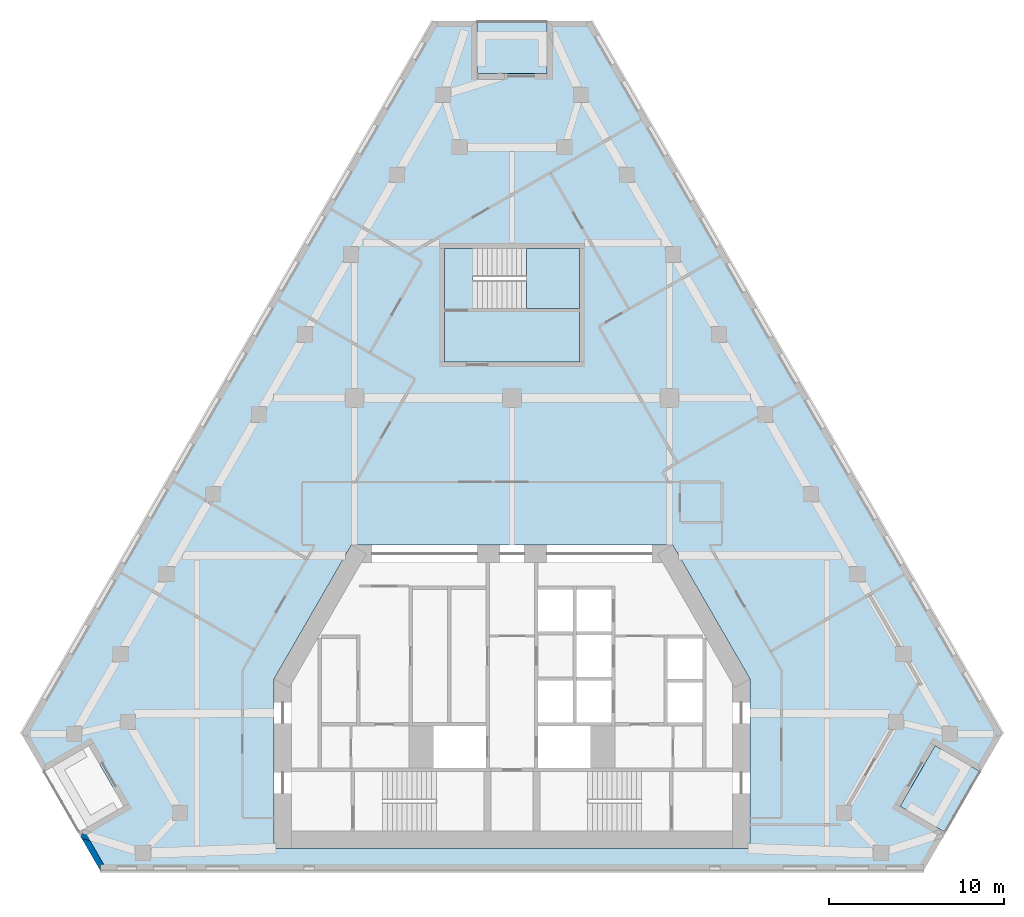
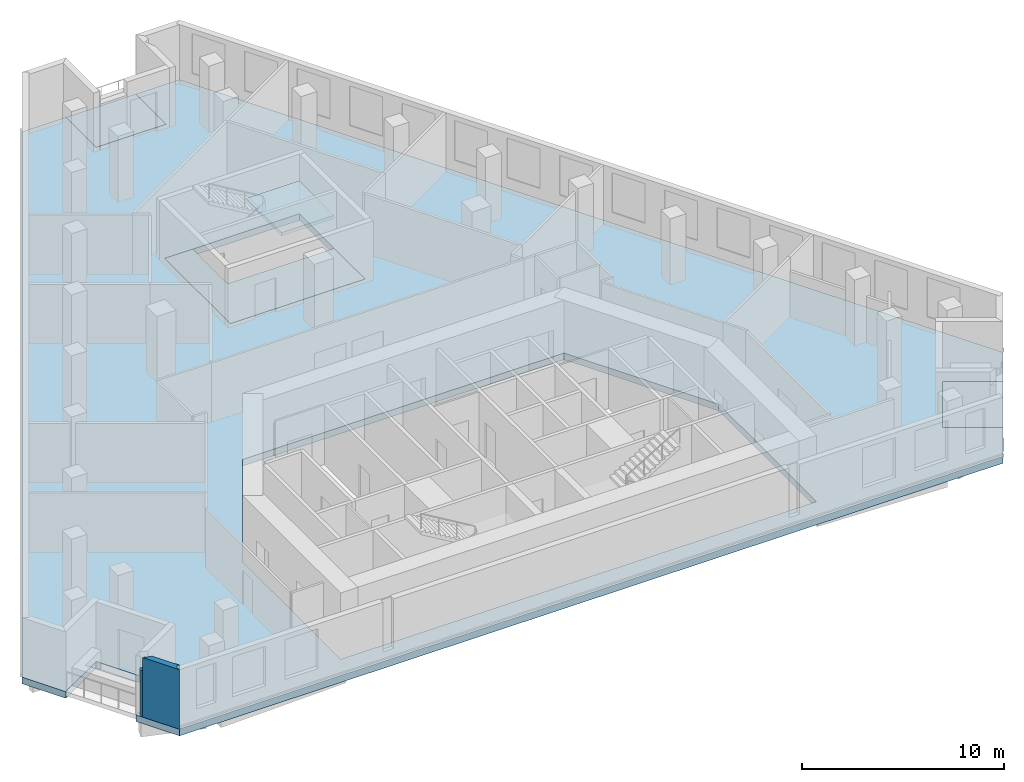
# One storey, part 2 of 9: 5 slabs, 2 walls, 1 element without a shape of its own.
"""IFC4 building model written with IfcOpenShell, lengths in metres."""

import ifcopenshell
import ifcopenshell.guid

model = None  # the IFC model being written
_history = None  # IfcOwnerHistory: only IFC2X3 demands one
_inside = {}  # id of a spatial element -> (the spatial element, [elements in it])
_under = {}  # id of a project, library or spatial element -> (it, [spatial elements below it])
_declared = {}  # id of a project -> (the project, [libraries it declares])
_typed = {}  # id of a type object -> (the type object, [elements of that type])
_made_of = {}  # id of a material, layer set ... -> (it, [elements and type objects made of it])


def new_model(schema):
    """Start an empty IFC model of exactly this schema.

    Asked for "IFC4X3", IfcOpenShell would pick the latest addendum, in which some entities
    have other attributes; the version numbers below select the first issue.
    IFC2X3 requires an IfcOwnerHistory on every rooted entity: one is made here for all.
    """
    global model, _history
    if schema == "IFC4X3":
        model = ifcopenshell.file(schema_version=(4, 3, 0, 0))
    else:
        model = ifcopenshell.file(schema=schema)
    _inside.clear()
    _under.clear()
    _declared.clear()
    _typed.clear()
    _made_of.clear()
    _history = None
    if model.schema == "IFC2X3":
        org = make("IfcOrganization", Name="unknown")
        user = make(
            "IfcPersonAndOrganization",
            ThePerson=make("IfcPerson", FamilyName="unknown"),
            TheOrganization=org,
        )
        app = make(
            "IfcApplication",
            ApplicationDeveloper=org,
            Version="unknown",
            ApplicationFullName="unknown",
            ApplicationIdentifier="unknown",
        )
        _history = make(
            "IfcOwnerHistory",
            OwningUser=user,
            OwningApplication=app,
            ChangeAction="ADDED",
            CreationDate=0,
        )
    return model


def make(cls, **values):
    """One entity of the class cls with the attributes given. An attribute that is None is left unset."""
    return model.create_entity(
        cls, **{name: value for name, value in values.items() if value is not None}
    )


def rooted(cls, **values):
    """An entity with a GlobalId (a new one), such as an element, a storey or a relation."""
    return make(cls, GlobalId=ifcopenshell.guid.new(), OwnerHistory=_history, **values)


def si_unit(unit_type, name, prefix=None):
    """IfcSIUnit, for example si_unit("LENGTHUNIT", "METRE", prefix="MILLI")."""
    return make("IfcSIUnit", UnitType=unit_type, Prefix=prefix, Name=name)


def assignment(units):
    """IfcUnitAssignment: the units of a project."""
    return None if units is None else make("IfcUnitAssignment", Units=units)


def point(xyz):
    """IfcCartesianPoint."""
    return None if xyz is None else make("IfcCartesianPoint", Coordinates=xyz)


def direction(xyz):
    """IfcDirection."""
    return None if xyz is None else make("IfcDirection", DirectionRatios=xyz)


def frame(location, z_axis=None, x_axis=None):
    """IfcAxis2Placement3D, a coordinate frame: its origin and axes. An axis left out is left unset."""
    return make(
        "IfcAxis2Placement3D",
        Location=point(location),
        Axis=direction(z_axis),
        RefDirection=direction(x_axis),
    )


def origin():
    """The frame at (0, 0, 0) with its axes left unset."""
    return frame((0.0, 0.0, 0.0))


def place(relative_to, where):
    """IfcLocalPlacement: puts the frame where relative to a parent placement (None: the world)."""
    return make(
        "IfcLocalPlacement", PlacementRelTo=relative_to, RelativePlacement=where
    )


def context(
    kind, dimensions, precision=None, world=None, true_north=None, identifier=None
):
    """IfcGeometricRepresentationContext, for example the 3D "Model" context."""
    return make(
        "IfcGeometricRepresentationContext",
        ContextIdentifier=identifier,
        ContextType=kind,
        CoordinateSpaceDimension=dimensions,
        Precision=precision,
        WorldCoordinateSystem=world,
        TrueNorth=true_north,
    )


def subcontext(parent, identifier, kind, view, scale=None):
    """IfcGeometricRepresentationSubContext, for example "Body" below "Model"."""
    return make(
        "IfcGeometricRepresentationSubContext",
        ContextIdentifier=identifier,
        ContextType=kind,
        ParentContext=parent,
        TargetScale=scale,
        TargetView=view,
    )


def project(units=None, contexts=None):
    """IfcProject with its units and contexts."""
    return rooted(
        "IfcProject",
        Name="project",
        RepresentationContexts=contexts,
        UnitsInContext=assignment(units),
    )


def spatial(cls, under=None, at=None, **own):
    """A site, building, storey or space (cls), placed at a placement, below another one or the project."""
    s = rooted(cls, ObjectPlacement=at, **own)
    if under is not None:
        _under.setdefault(under.id(), (under, []))[1].append(s)
    return s


def polyline(points):
    """IfcPolyline through the points."""
    return make("IfcPolyline", Points=[point(p) for p in points])


def outline(outer, holes=None, kind="AREA"):
    """IfcArbitraryClosedProfileDef: a profile drawn as a closed curve; with holes, ...WithVoids."""
    if holes is None:
        return make("IfcArbitraryClosedProfileDef", ProfileType=kind, OuterCurve=outer)
    return make(
        "IfcArbitraryProfileDefWithVoids",
        ProfileType=kind,
        OuterCurve=outer,
        InnerCurves=holes,
    )


def extrude(swept, where, along, depth):
    """IfcExtrudedAreaSolid: the profile swept, set in the frame where, extruded along a direction by depth."""
    return make(
        "IfcExtrudedAreaSolid",
        SweptArea=swept,
        Position=where,
        ExtrudedDirection=direction(along),
        Depth=depth,
    )


def shape(context_of_items, identifier, shape_type, items):
    """IfcShapeRepresentation: the items that make up one representation, for example the "Body"."""
    return make(
        "IfcShapeRepresentation",
        ContextOfItems=context_of_items,
        RepresentationIdentifier=identifier,
        RepresentationType=shape_type,
        Items=items,
    )


def material(Name=None, Category=None):
    """IfcMaterial."""
    return make("IfcMaterial", Name=Name, Category=Category)


def layer(
    of_material, thickness, ventilated=None, Name=None, Category=None, Priority=None
):
    """IfcMaterialLayer: one layer of a wall or slab, of a material (None: an air gap)."""
    return make(
        "IfcMaterialLayer",
        Material=of_material,
        LayerThickness=thickness,
        IsVentilated=ventilated,
        Name=Name,
        Category=Category,
        Priority=Priority,
    )


def layer_set(layers, Name=None):
    """IfcMaterialLayerSet."""
    return make("IfcMaterialLayerSet", MaterialLayers=layers, LayerSetName=Name)


def made_of(thing, what):
    """Note that an element or type object is made of a material, layer set ...; save() writes the relation."""
    if what is not None:
        _made_of.setdefault(what.id(), (what, []))[1].append(thing)
    return thing


def type_object(cls, material=None, **own):
    """A type object (cls), such as IfcWallType, which elements share."""
    return made_of(rooted(cls, **own), material)


def element(
    cls,
    number,
    at=None,
    inside=None,
    cuts=None,
    type_object=None,
    material=None,
    context=None,
    identifier="Body",
    shape_type=None,
    held_by="IfcProductDefinitionShape",
    body=None,
    shapes=None,
    **own,
):
    """One element of the class cls, such as IfcWall. Its Tag is "e" and its number.

    at: its placement. inside: the storey or other place that contains it. cuts: it is an
    opening in that element (IfcRelVoidsElement). A single representation is given by context,
    identifier, shape_type and body (its items); several are given by shapes. held_by: the class
    of the entity that holds the representations. save() writes the other relations.
    """
    e = rooted(cls, Tag="e%d" % number, ObjectPlacement=at, **own)
    if body is not None:
        shapes = [shape(context, identifier, shape_type, body)]
    if shapes is not None:
        e.Representation = make(held_by, Representations=shapes)
    if inside is not None:
        _inside.setdefault(inside.id(), (inside, []))[1].append(e)
    if cuts is not None:
        rooted(
            "IfcRelVoidsElement", RelatingBuildingElement=cuts, RelatedOpeningElement=e
        )
    if type_object is not None:
        _typed.setdefault(type_object.id(), (type_object, []))[1].append(e)
    return made_of(e, material)


def aggregate(whole, parts):
    """IfcRelAggregates: a whole, such as a stair, and the parts it consists of."""
    return rooted("IfcRelAggregates", RelatingObject=whole, RelatedObjects=parts)


def save(model, path):
    """Write the relations noted so far, then the file.

    IfcRelAggregates (storeys below a building ...), IfcRelContainedInSpatialStructure (elements
    in a storey), IfcRelDefinesByType, IfcRelAssociatesMaterial and IfcRelDeclares: one each for
    every whole, place, type object, material and project.
    """
    for whole, parts in _under.values():
        aggregate(whole, parts)
    for where, things in _inside.values():
        rooted(
            "IfcRelContainedInSpatialStructure",
            RelatedElements=things,
            RelatingStructure=where,
        )
    for kind, things in _typed.values():
        rooted("IfcRelDefinesByType", RelatedObjects=things, RelatingType=kind)
    for what, things in _made_of.values():
        rooted("IfcRelAssociatesMaterial", RelatedObjects=things, RelatingMaterial=what)
    for by, libraries in _declared.values():
        rooted("IfcRelDeclares", RelatingContext=by, RelatedDefinitions=libraries)
    model.write(path)


model = new_model("IFC4")

# Units and contexts
model_context = context("Model", 3, precision=1e-05, world=origin(), true_north=direction((0.0, 1.0)))
body_context = subcontext(model_context, "Body", "Model", "MODEL_VIEW")
ifc_project = project(units=[si_unit("LENGTHUNIT", "METRE"), si_unit("AREAUNIT", "SQUARE_METRE"), si_unit("VOLUMEUNIT", "CUBIC_METRE"), si_unit("PLANEANGLEUNIT", "RADIAN"), si_unit("MASSUNIT", "GRAM", prefix="KILO")], contexts=[model_context])

# Site, building, storey
site_placement = place(None, origin())
site = spatial("IfcSite", under=ifc_project, at=site_placement, CompositionType="ELEMENT")
building_placement = place(site_placement, origin())
building = spatial("IfcBuilding", under=site, at=building_placement, Name="Fogline Exchange Tower", CompositionType="ELEMENT")
storey_placement = place(building_placement, frame((0.0, 0.0, 186.10009765625)))
storey = spatial("IfcBuildingStorey", under=building, at=storey_placement, Name="L41", CompositionType="ELEMENT", Elevation=186.10009765625)

# Slabs
ifc_material_1 = material(Name="Concrete C40", Category="concrete")
ifc_layer_1 = layer(ifc_material_1, 0.25)
ifc_layer_set_1 = layer_set([ifc_layer_1], Name="DK1")
slab_type_1 = type_object("IfcSlabType", Name="DK1", PredefinedType="FLOOR", material=ifc_layer_set_1)
slab_1_placement = place(storey_placement, frame((0.0, 0.0, -0.25)))
element("IfcSlab", 1, at=slab_1_placement, inside=storey, type_object=slab_type_1, Name="Balcony L41 SE", PredefinedType="FLOOR", context=body_context, shape_type="SweptSolid", body=[
    extrude(outline(polyline([(24.78125, 2.1650390625), (26.78125, 5.629150390625), (24.18310546875, 7.129150390625), (22.18310546875, 3.6650390625), (24.78125, 2.1650390625)])), origin(), (0.0, 0.0, 1.0), 0.25),
])
slab_2_placement = place(storey_placement, frame((0.0, 0.0, -0.25)))
element("IfcSlab", 2, at=slab_2_placement, inside=storey, type_object=slab_type_1, Name="Balcony L41 N", PredefinedType="FLOOR", context=body_context, shape_type="SweptSolid", body=[
    extrude(outline(polyline([(2.0, 48.5517578125), (-2.0, 48.5517578125), (-2.0, 45.5517578125), (2.0, 45.5517578125), (2.0, 48.5517578125)])), origin(), (0.0, 0.0, 1.0), 0.25),
])
ifc_layer_2 = layer(ifc_material_1, 0.39990234375)
ifc_layer_set_2 = layer_set([ifc_layer_2], Name="S03")
slab_type_2 = type_object("IfcSlabType", Name="S03", PredefinedType="FLOOR", material=ifc_layer_set_2)
slab_3_placement = place(storey_placement, frame((0.0, 0.0, -0.400146484375)))
element("IfcSlab", 3, at=slab_3_placement, inside=storey, type_object=slab_type_2, Name="SLAB L41", PredefinedType="FLOOR", context=body_context, shape_type="SweptSolid", body=[
    extrude(outline(polyline([(-2.0, 48.5517578125), (-4.5, 48.5517578125), (-28.03125, 7.794189453125), (-26.78125, 5.629150390625), (-24.18310546875, 7.129150390625), (-22.18310546875, 3.6650390625), (-24.78125, 2.1650390625), (-23.53125, 0.0), (23.53125, 0.0), (24.78125, 2.1650390625), (22.18310546875, 3.6650390625), (24.18310546875, 7.129150390625), (26.78125, 5.629150390625), (28.03125, 7.794189453125), (4.5, 48.5517578125), (2.0, 48.5517578125), (2.0, 45.5517578125), (-2.0, 45.5517578125), (-2.0, 48.5517578125)]), holes=[polyline([(13.60009765625, 10.9453125), (13.60009765625, 1.25), (-13.60009765625, 1.25), (-13.60009765625, 10.9453125), (-9.1806640625, 18.60009765625), (9.1806640625, 18.60009765625), (13.60009765625, 10.9453125)]), polyline([(3.85009765625, 35.556884765625), (3.85009765625, 29.056884765625), (-3.85009765625, 29.056884765625), (-3.85009765625, 35.556884765625), (3.85009765625, 35.556884765625)])]), origin(), (0.0, 0.0, 1.0), 0.400146484375),
])
slab_4_placement = place(storey_placement, frame((0.0, 0.0, -0.400146484375)))
element("IfcSlab", 4, at=slab_4_placement, inside=storey, type_object=slab_type_2, Name="Stair enclosure floor slab", PredefinedType="FLOOR", context=body_context, shape_type="SweptSolid", body=[
    extrude(outline(polyline([(3.85009765625, 29.056884765625), (-3.85009765625, 29.056884765625), (-3.85009765625, 35.556884765625), (-2.239990234375, 35.556884765625), (-2.239990234375, 32.10693359375), (3.85009765625, 32.10693359375), (3.85009765625, 29.056884765625)])), origin(), (0.0, 0.0, 1.0), 0.400146484375),
])

# Stair, slab
stair_type = type_object("IfcStairType", Name="STR24-1667", PredefinedType="HALF_TURN_STAIR", material=ifc_material_1)
stair_placement = place(storey_placement, origin())
stair = element("IfcStair", 5, at=stair_placement, inside=storey, type_object=stair_type, Name="Stair ST3", PredefinedType="HALF_TURN_STAIR")
ifc_layer_3 = layer(ifc_material_1, 0.199951171875)
ifc_layer_set_3 = layer_set([ifc_layer_3], Name="SL200")
slab_type_3 = type_object("IfcSlabType", Name="SL200", PredefinedType="LANDING", material=ifc_layer_set_3)
slab_5_placement = place(storey_placement, frame((0.0, 0.0, 1.7998046875)))
slab_5 = element("IfcSlab", 6, at=slab_5_placement, type_object=slab_type_3, Name="ST3 landing 1", PredefinedType="LANDING", context=body_context, shape_type="SweptSolid", body=[
    extrude(outline(polyline([(0.830078125, 32.10693359375), (3.85009765625, 32.10693359375), (3.85009765625, 35.556884765625), (0.830078125, 35.556884765625), (0.830078125, 32.10693359375)])), origin(), (0.0, 0.0, 1.0), 0.2001953125),
])
aggregate(stair, [slab_5])

# Walls
ifc_material_2 = material(Name="Brick masonry", Category="masonry")
ifc_layer_4 = layer(ifc_material_2, 0.340087890625)
ifc_layer_set_4 = layer_set([ifc_layer_4], Name="FW1")
wall_type = type_object("IfcWallType", Name="FW1", PredefinedType="SOLIDWALL", material=ifc_layer_set_4)
wall_1_placement = place(storey_placement, origin())
element("IfcWall", 7, at=wall_1_placement, inside=storey, type_object=wall_type, Name="Brick wall L41 SW-c2", PredefinedType="SOLIDWALL", context=body_context, shape_type="SweptSolid", body=[
    extrude(outline(polyline([(-24.64501953125, 1.927734375), (-24.586669921875, 2.113525390625), (-24.31640625, 2.041015625), (-24.110107421875, 1.683837890625), (-24.591064453125, 1.83447265625), (-24.64501953125, 1.927734375)])), origin(), (0.0, 0.0, 1.0), 2.7998046875),
])
wall_2_placement = place(storey_placement, origin())
element("IfcWall", 8, at=wall_2_placement, inside=storey, type_object=wall_type, Name="Brick wall L41 SW-c2", PredefinedType="SOLIDWALL", context=body_context, shape_type="SweptSolid", body=[
    extrude(outline(polyline([(-23.53076171875, 0.33935546875), (-23.53076171875, -0.0009765625), (-23.53125, -0.001220703125), (-24.591064453125, 1.83447265625), (-24.110107421875, 1.683837890625), (-23.333984375, 0.33935546875), (-23.53076171875, 0.33935546875)])), origin(), (0.0, 0.0, 1.0), 3.599853515625),
])

save(model, "model.ifc")
